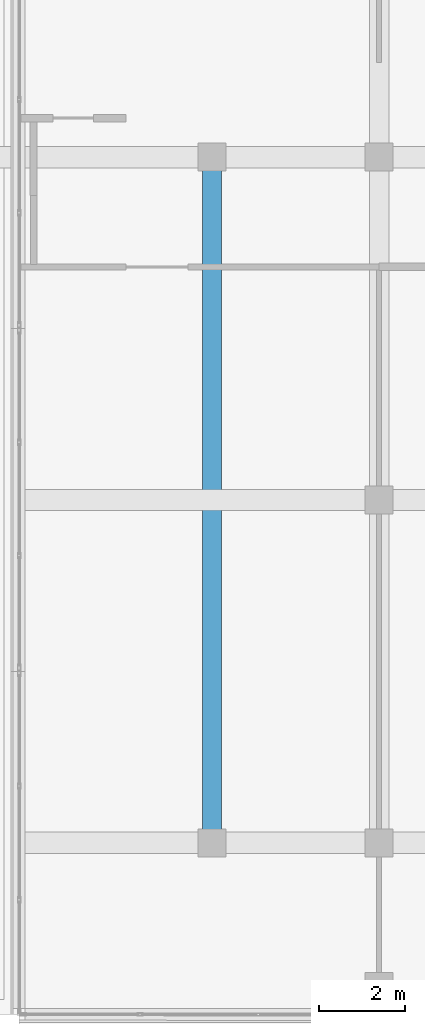
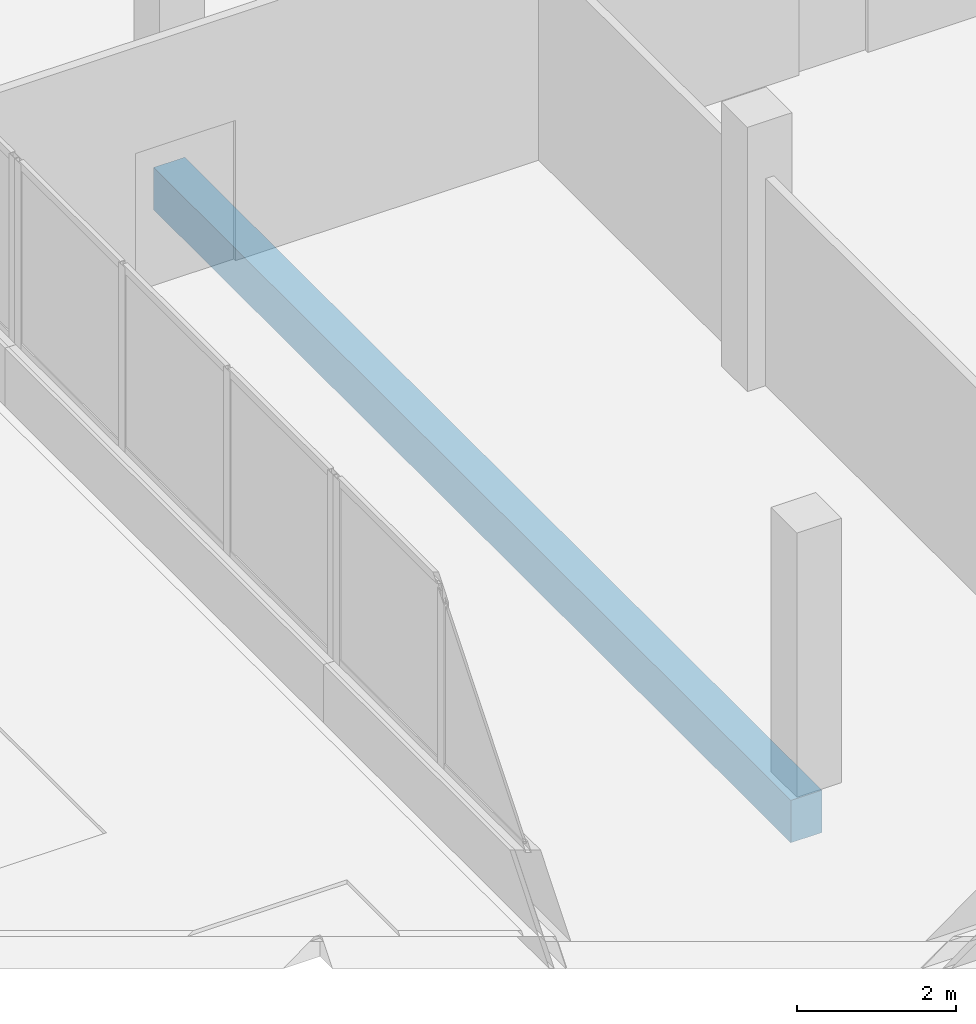
# One storey, part 3 of 78: 1 beam.
"""IFC4 building model written with IfcOpenShell, lengths in metres."""

from ifc_helpers import new_model, si_unit, direction, frame, origin, origin_2d, place, context, subcontext, project, spatial, rectangle, extrude, material, material_profile, profile_set, type_object, element, save


model = new_model("IFC4")

# Units and contexts
model_context = context("Model", 3, precision=1e-05, world=origin(), true_north=direction((0.0, 1.0)))
body_context = subcontext(model_context, "Body", "Model", "MODEL_VIEW")
ifc_project = project(units=[si_unit("LENGTHUNIT", "METRE"), si_unit("AREAUNIT", "SQUARE_METRE"), si_unit("VOLUMEUNIT", "CUBIC_METRE"), si_unit("PLANEANGLEUNIT", "RADIAN"), si_unit("MASSUNIT", "GRAM", prefix="KILO")], contexts=[model_context])

# Site, building, storey
site_placement = place(None, origin())
site = spatial("IfcSite", under=ifc_project, at=site_placement, CompositionType="ELEMENT")
building_placement = place(site_placement, origin())
building = spatial("IfcBuilding", under=site, at=building_placement, Name="Selatvlak General Hospital", CompositionType="ELEMENT")
storey_placement = place(building_placement, frame((0.0, 0.0, 23.25)))
storey = spatial("IfcBuildingStorey", under=building, at=storey_placement, Name="L05", CompositionType="ELEMENT", Elevation=23.25)

# Beam
ifc_material = material(Name="Concrete C40/50", Category="concrete")
ifc_material_profile = material_profile(ifc_material, rectangle(XDim=0.449951171875, YDim=0.64990234375, at=origin_2d()), Name="RC-BM 450x650")
ifc_profile_set = profile_set([ifc_material_profile], Name="Concrete C40/50")
beam_type = type_object("IfcBeamType", Name="BM-G04", PredefinedType="BEAM", material=ifc_profile_set)
beam_placement = place(storey_placement, frame((27.300048828125, 92.0, -0.60498046875), z_axis=(0.0, 1.0, 0.0), x_axis=(-1.0, 0.0, 0.0)))
element("IfcBeam", 1, at=beam_placement, inside=storey, type_object=beam_type, Name="Beam BMR-L05-1989", PredefinedType="BEAM", context=body_context, shape_type="SweptSolid", body=[
    extrude(rectangle(XDim=0.449951171875, YDim=0.64990234375, at=origin_2d()), origin(), (0.0, 0.0, 1.0), 16.0),
])

save(model, "model.ifc")
